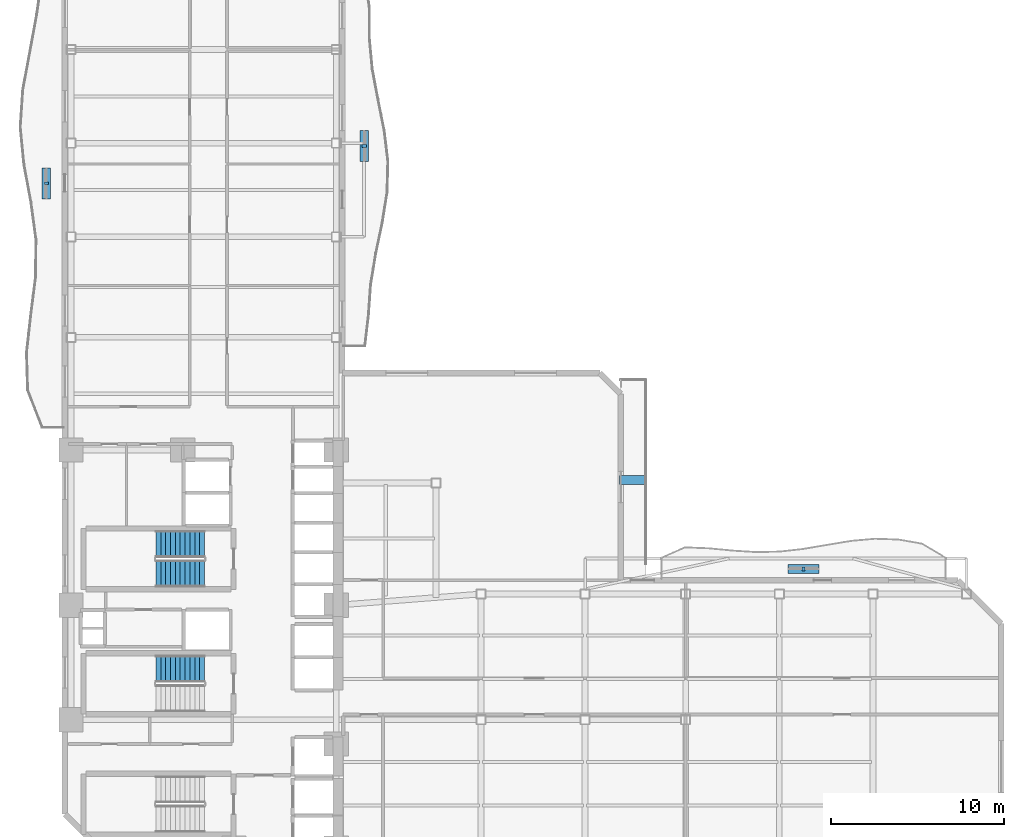
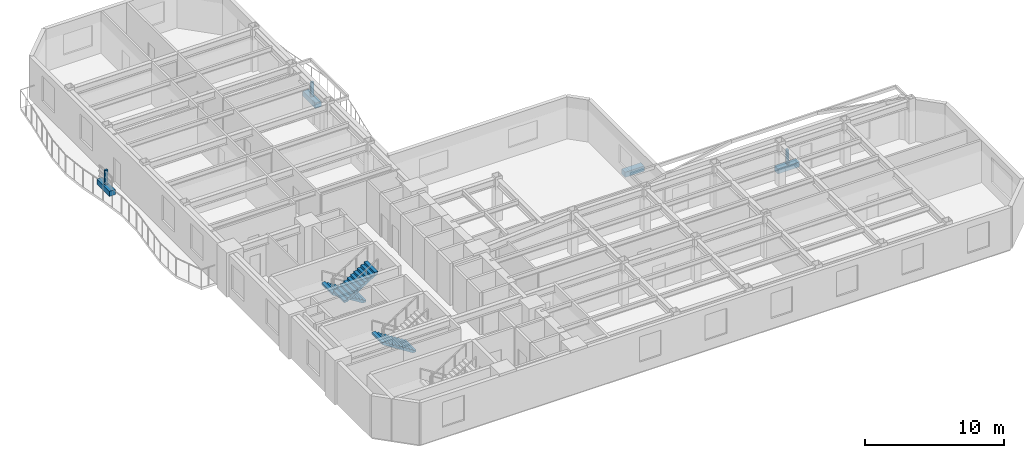
# One storey, part 7 of 10: 7 discrete accessories, 3 stair flights, 2 elements without a shape of their own.
"""IFC4 building model written with IfcOpenShell, lengths in metres."""

from ifc_helpers import new_model, si_unit, direction, frame, origin, origin_2d, place, context, subcontext, project, spatial, polyline, rectangle, outline, extrude, material, type_object, element, aggregate, save


model = new_model("IFC4")

# Units and contexts
model_context = context("Model", 3, precision=1e-05, world=origin(), true_north=direction((0.0, 1.0)))
body_context = subcontext(model_context, "Body", "Model", "MODEL_VIEW")
ifc_project = project(units=[si_unit("LENGTHUNIT", "METRE"), si_unit("AREAUNIT", "SQUARE_METRE"), si_unit("VOLUMEUNIT", "CUBIC_METRE"), si_unit("PLANEANGLEUNIT", "RADIAN"), si_unit("MASSUNIT", "GRAM", prefix="KILO")], contexts=[model_context])

# Site, building, storey
site_placement = place(None, origin())
site = spatial("IfcSite", under=ifc_project, at=site_placement, CompositionType="ELEMENT")
building_placement = place(site_placement, origin())
building = spatial("IfcBuilding", under=site, at=building_placement, Name="Mawjaban Terraces University", CompositionType="ELEMENT")
storey_placement = place(building_placement, frame((0.0, 0.0, 42.699951171875)))
storey = spatial("IfcBuildingStorey", under=building, at=storey_placement, Name="L09", CompositionType="ELEMENT", Elevation=42.699951171875)

# Stair, stair flights
ifc_material_1 = material(Name="Concrete C40/50", Category="concrete")
stair_type = type_object("IfcStairType", Name="Stair_Core1550_H39", PredefinedType="HALF_TURN_STAIR", material=ifc_material_1)
stair_1_placement = place(storey_placement, origin())
stair_1 = element("IfcStair", 1, at=stair_1_placement, inside=storey, type_object=stair_type, Name="L09 Core Exit Stair 2", PredefinedType="HALF_TURN_STAIR")
stair_flight_type = type_object("IfcStairFlightType", Name="Flight_Core1550_H39", PredefinedType="STRAIGHT", material=ifc_material_1)
stair_flight_1_placement = place(storey_placement, frame((30.050048828125, 18.074951171875, 0.0), z_axis=(0.0, 0.0, 1.0), x_axis=(-1.0, 0.0, 0.0)))
stair_flight_1 = element("IfcStairFlight", 2, at=stair_flight_1_placement, type_object=stair_flight_type, Name="ST-2 flight 1", NumberOfRisers=11, NumberOfTreads=10, PredefinedType="STRAIGHT", RiserHeight=0.177272727, TreadLength=0.28, context=body_context, shape_type="SweptSolid", body=[
    extrude(outline(polyline([(0.0, 0.0), (0.0, 0.17724609375), (0.280029296875, 0.17724609375), (0.280029296875, 0.3544921875), (0.56005859375, 0.3544921875), (0.56005859375, 0.53173828125), (0.840087890625, 0.53173828125), (0.840087890625, 0.708984375), (1.1201171875, 0.708984375), (1.1201171875, 0.886474609375), (1.39990234375, 0.886474609375), (1.39990234375, 1.063720703125), (1.679931640625, 1.063720703125), (1.679931640625, 1.240966796875), (1.9599609375, 1.240966796875), (1.9599609375, 1.418212890625), (2.239990234375, 1.418212890625), (2.239990234375, 1.595458984375), (2.52001953125, 1.595458984375), (2.52001953125, 1.772705078125), (2.800048828125, 1.772705078125), (2.800048828125, 1.949951171875), (2.800048828125, 1.59521484375), (0.2802734375, 0.0), (0.0, 0.0)])), frame((0.0, 0.77490234375, 0.0), z_axis=(0.0, -1.0, 0.0), x_axis=(1.0, 0.0, 0.0)), (0.0, 0.0, 1.0), 1.550048828125),
])
stair_flight_2_placement = place(storey_placement, frame((27.25, 16.375, 1.949951171875), z_axis=(0.0, 0.0, 1.0), x_axis=(1.0, 0.0, 0.0)))
stair_flight_2 = element("IfcStairFlight", 3, at=stair_flight_2_placement, type_object=stair_flight_type, Name="ST-2 flight 2", NumberOfRisers=11, NumberOfTreads=10, PredefinedType="STRAIGHT", RiserHeight=0.177272727, TreadLength=0.28, context=body_context, shape_type="SweptSolid", body=[
    extrude(outline(polyline([(0.0, 0.0), (0.0, 0.17724609375), (0.280029296875, 0.17724609375), (0.280029296875, 0.3544921875), (0.56005859375, 0.3544921875), (0.56005859375, 0.53173828125), (0.840087890625, 0.53173828125), (0.840087890625, 0.708984375), (1.1201171875, 0.708984375), (1.1201171875, 0.886474609375), (1.39990234375, 0.886474609375), (1.39990234375, 1.063720703125), (1.679931640625, 1.063720703125), (1.679931640625, 1.240966796875), (1.9599609375, 1.240966796875), (1.9599609375, 1.418212890625), (2.239990234375, 1.418212890625), (2.239990234375, 1.595458984375), (2.52001953125, 1.595458984375), (2.52001953125, 1.772705078125), (2.800048828125, 1.772705078125), (2.800048828125, 1.949951171875), (2.800048828125, 1.59521484375), (0.2802734375, 0.0), (0.0, 0.0)])), frame((0.0, 0.77490234375, 0.0), z_axis=(0.0, -1.0, 0.0), x_axis=(1.0, 0.0, 0.0)), (0.0, 0.0, 1.0), 1.550048828125),
])
aggregate(stair_1, [stair_flight_1, stair_flight_2])

# Stair, stair flight
stair_2_placement = place(storey_placement, origin())
stair_2 = element("IfcStair", 4, at=stair_2_placement, inside=storey, type_object=stair_type, Name="L09 Core Exit Stair 3", PredefinedType="HALF_TURN_STAIR")
stair_flight_3_placement = place(storey_placement, frame((30.050048828125, 10.875, 0.0), z_axis=(0.0, 0.0, 1.0), x_axis=(-1.0, 0.0, 0.0)))
stair_flight_3 = element("IfcStairFlight", 5, at=stair_flight_3_placement, type_object=stair_flight_type, Name="ST-3 flight 1", NumberOfRisers=11, NumberOfTreads=10, PredefinedType="STRAIGHT", RiserHeight=0.177272727, TreadLength=0.28, context=body_context, shape_type="SweptSolid", body=[
    extrude(outline(polyline([(0.0, 0.0), (0.0, 0.17724609375), (0.280029296875, 0.17724609375), (0.280029296875, 0.3544921875), (0.56005859375, 0.3544921875), (0.56005859375, 0.53173828125), (0.840087890625, 0.53173828125), (0.840087890625, 0.708984375), (1.1201171875, 0.708984375), (1.1201171875, 0.886474609375), (1.39990234375, 0.886474609375), (1.39990234375, 1.063720703125), (1.679931640625, 1.063720703125), (1.679931640625, 1.240966796875), (1.9599609375, 1.240966796875), (1.9599609375, 1.418212890625), (2.239990234375, 1.418212890625), (2.239990234375, 1.595458984375), (2.52001953125, 1.595458984375), (2.52001953125, 1.772705078125), (2.800048828125, 1.772705078125), (2.800048828125, 1.949951171875), (2.800048828125, 1.59521484375), (0.2802734375, 0.0), (0.0, 0.0)])), frame((0.0, 0.77490234375, 0.0), z_axis=(0.0, -1.0, 0.0), x_axis=(1.0, 0.0, 0.0)), (0.0, 0.0, 1.0), 1.550048828125),
])
aggregate(stair_2, [stair_flight_3])

# Discrete accessories
ifc_material_2 = material(Name="Stainless steel 316L", Category="steel")
discrete_accessory_type_1 = type_object("IfcDiscreteAccessoryType", Name="FacadeScreenBracket_Steel", PredefinedType="BRACKET", material=ifc_material_2)
for number, where, z_axis, x_axis, name in (
    (6, (20.928955078125, 38.883056640625, 0.419921875), (0.0, 0.0, 1.0), (0.0, 1.0, 0.0), "L09 Balcony Screen Support Bracket west"),
    (7, (64.60009765625, 16.64501953125, 0.419921875), (0.0, 0.0, 1.0), (1.0, 0.0, 0.0), "L09 Balcony Screen Support Bracket inner_north"),
    (8, (39.260009765625, 41.037109375, 0.419921875), (0.0, 0.0, 1.0), (0.0, 1.0, 0.0), "L09 Balcony Screen Support Bracket inner_east"),
):
    element("IfcDiscreteAccessory", number, at=place(storey_placement, frame(where, z_axis=z_axis, x_axis=x_axis)), inside=storey, type_object=discrete_accessory_type_1, Name=name, PredefinedType="BRACKET", context=body_context, shape_type="SweptSolid", body=[
        extrude(rectangle(XDim=0.159912109375, YDim=0.239990234375, at=origin_2d()), origin(), (0.0, 0.0, 1.0), 1.300048828125),
    ])
ifc_material_3 = material(Name="Precast architectural terracotta planter with engineered planting soil", Category="masonry")
discrete_accessory_type_2 = type_object("IfcDiscreteAccessoryType", Name="IrrigatedPlanterTrough_450", PredefinedType="USERDEFINED", material=ifc_material_3)
for number, where, z_axis, x_axis, name in (
    (9, (20.928955078125, 38.883056640625, -0.0048828125), (0.0, 0.0, 1.0), (0.0, 1.0, 0.0), "L09 Balcony Irrigated Planter west"),
    (10, (64.60009765625, 16.64501953125, -0.0048828125), (0.0, 0.0, 1.0), (1.0, 0.0, 0.0), "L09 Balcony Irrigated Planter inner_north"),
    (11, (39.260009765625, 41.037109375, -0.0048828125), (0.0, 0.0, 1.0), (0.0, 1.0, 0.0), "L09 Balcony Irrigated Planter inner_east"),
):
    element("IfcDiscreteAccessory", number, at=place(storey_placement, frame(where, z_axis=z_axis, x_axis=x_axis)), inside=storey, type_object=discrete_accessory_type_2, Name=name, ObjectType="PLANTER", PredefinedType="USERDEFINED", context=body_context, shape_type="SweptSolid", body=[
        extrude(rectangle(XDim=1.800048828125, YDim=0.5, at=origin_2d()), origin(), (0.0, 0.0, 1.0), 0.449951171875),
    ])
discrete_accessory_placement = place(storey_placement, frame((54.77490234375, 21.77294921875, -0.0048828125), z_axis=(0.0, 0.0, 1.0), x_axis=(1.0, 0.0, 0.0)))
element("IfcDiscreteAccessory", 12, at=discrete_accessory_placement, inside=storey, type_object=discrete_accessory_type_2, Name="L09 Terrace Planter TER-L09-CLIMB", ObjectType="PLANTER", PredefinedType="USERDEFINED", context=body_context, shape_type="SweptSolid", body=[
    extrude(rectangle(XDim=1.60009765625, YDim=0.5, at=origin_2d()), origin(), (0.0, 0.0, 1.0), 0.449951171875),
])

save(model, "model.ifc")
